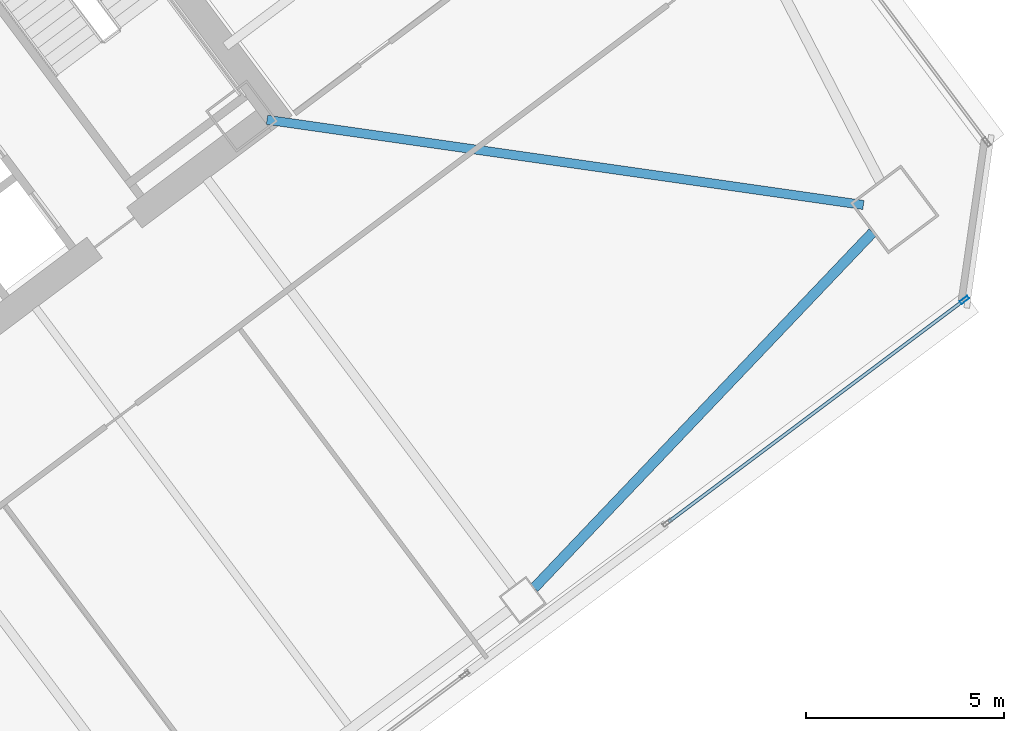
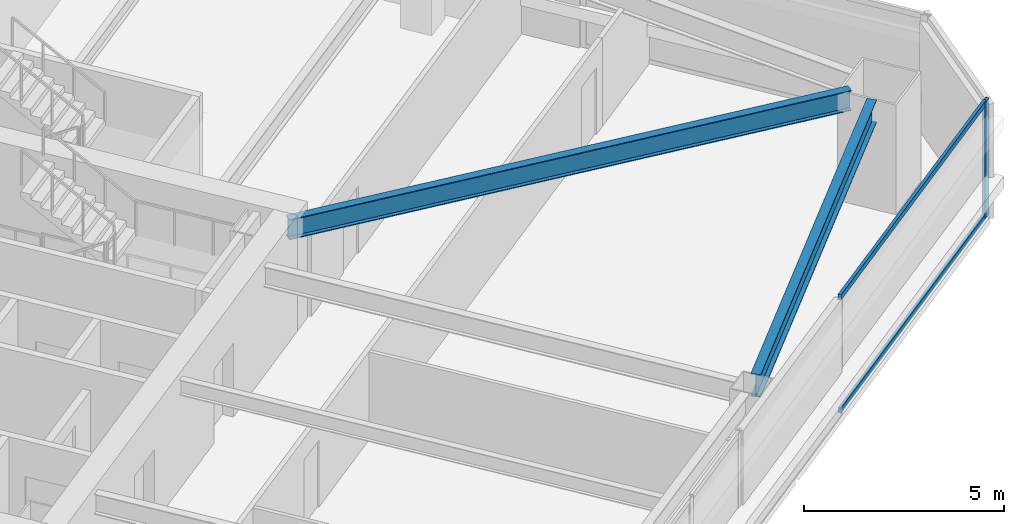
# One storey, part 23 of 45: 3 members, 2 beams, 1 element without a shape of its own.
"""IFC4 building model written with IfcOpenShell, lengths in metres."""

import ifcopenshell
import ifcopenshell.guid

model = None  # the IFC model being written
_history = None  # IfcOwnerHistory: only IFC2X3 demands one
_inside = {}  # id of a spatial element -> (the spatial element, [elements in it])
_under = {}  # id of a project, library or spatial element -> (it, [spatial elements below it])
_declared = {}  # id of a project -> (the project, [libraries it declares])
_typed = {}  # id of a type object -> (the type object, [elements of that type])
_made_of = {}  # id of a material, layer set ... -> (it, [elements and type objects made of it])


def new_model(schema):
    """Start an empty IFC model of exactly this schema.

    Asked for "IFC4X3", IfcOpenShell would pick the latest addendum, in which some entities
    have other attributes; the version numbers below select the first issue.
    IFC2X3 requires an IfcOwnerHistory on every rooted entity: one is made here for all.
    """
    global model, _history
    if schema == "IFC4X3":
        model = ifcopenshell.file(schema_version=(4, 3, 0, 0))
    else:
        model = ifcopenshell.file(schema=schema)
    _inside.clear()
    _under.clear()
    _declared.clear()
    _typed.clear()
    _made_of.clear()
    _history = None
    if model.schema == "IFC2X3":
        org = make("IfcOrganization", Name="unknown")
        user = make(
            "IfcPersonAndOrganization",
            ThePerson=make("IfcPerson", FamilyName="unknown"),
            TheOrganization=org,
        )
        app = make(
            "IfcApplication",
            ApplicationDeveloper=org,
            Version="unknown",
            ApplicationFullName="unknown",
            ApplicationIdentifier="unknown",
        )
        _history = make(
            "IfcOwnerHistory",
            OwningUser=user,
            OwningApplication=app,
            ChangeAction="ADDED",
            CreationDate=0,
        )
    return model


def make(cls, **values):
    """One entity of the class cls with the attributes given. An attribute that is None is left unset."""
    return model.create_entity(
        cls, **{name: value for name, value in values.items() if value is not None}
    )


def rooted(cls, **values):
    """An entity with a GlobalId (a new one), such as an element, a storey or a relation."""
    return make(cls, GlobalId=ifcopenshell.guid.new(), OwnerHistory=_history, **values)


def si_unit(unit_type, name, prefix=None):
    """IfcSIUnit, for example si_unit("LENGTHUNIT", "METRE", prefix="MILLI")."""
    return make("IfcSIUnit", UnitType=unit_type, Prefix=prefix, Name=name)


def assignment(units):
    """IfcUnitAssignment: the units of a project."""
    return None if units is None else make("IfcUnitAssignment", Units=units)


def point(xyz):
    """IfcCartesianPoint."""
    return None if xyz is None else make("IfcCartesianPoint", Coordinates=xyz)


def direction(xyz):
    """IfcDirection."""
    return None if xyz is None else make("IfcDirection", DirectionRatios=xyz)


def frame(location, z_axis=None, x_axis=None):
    """IfcAxis2Placement3D, a coordinate frame: its origin and axes. An axis left out is left unset."""
    return make(
        "IfcAxis2Placement3D",
        Location=point(location),
        Axis=direction(z_axis),
        RefDirection=direction(x_axis),
    )


def frame_2d(location, x_axis=None):
    """IfcAxis2Placement2D, a coordinate frame in the plane: its origin and x axis."""
    return make(
        "IfcAxis2Placement2D", Location=point(location), RefDirection=direction(x_axis)
    )


def origin():
    """The frame at (0, 0, 0) with its axes left unset."""
    return frame((0.0, 0.0, 0.0))


def origin_2d():
    """The frame at (0, 0) in the plane with its x axis left unset."""
    return frame_2d((0.0, 0.0))


def place(relative_to, where):
    """IfcLocalPlacement: puts the frame where relative to a parent placement (None: the world)."""
    return make(
        "IfcLocalPlacement", PlacementRelTo=relative_to, RelativePlacement=where
    )


def context(
    kind, dimensions, precision=None, world=None, true_north=None, identifier=None
):
    """IfcGeometricRepresentationContext, for example the 3D "Model" context."""
    return make(
        "IfcGeometricRepresentationContext",
        ContextIdentifier=identifier,
        ContextType=kind,
        CoordinateSpaceDimension=dimensions,
        Precision=precision,
        WorldCoordinateSystem=world,
        TrueNorth=true_north,
    )


def subcontext(parent, identifier, kind, view, scale=None):
    """IfcGeometricRepresentationSubContext, for example "Body" below "Model"."""
    return make(
        "IfcGeometricRepresentationSubContext",
        ContextIdentifier=identifier,
        ContextType=kind,
        ParentContext=parent,
        TargetScale=scale,
        TargetView=view,
    )


def project(units=None, contexts=None):
    """IfcProject with its units and contexts."""
    return rooted(
        "IfcProject",
        Name="project",
        RepresentationContexts=contexts,
        UnitsInContext=assignment(units),
    )


def spatial(cls, under=None, at=None, **own):
    """A site, building, storey or space (cls), placed at a placement, below another one or the project."""
    s = rooted(cls, ObjectPlacement=at, **own)
    if under is not None:
        _under.setdefault(under.id(), (under, []))[1].append(s)
    return s


def profile(cls, at=None, kind="AREA", **sizes):
    """A parametric profile (cls). Its sizes go by their IFC names, for example OverallWidth=200.0."""
    return make(cls, ProfileType=kind, Position=at, **sizes)


def hollow_rectangle(**sizes):
    """IfcRectangleHollowProfileDef."""
    return profile("IfcRectangleHollowProfileDef", **sizes)


def i_section(**sizes):
    """IfcIShapeProfileDef."""
    return profile("IfcIShapeProfileDef", **sizes)


def extrude(swept, where, along, depth):
    """IfcExtrudedAreaSolid: the profile swept, set in the frame where, extruded along a direction by depth."""
    return make(
        "IfcExtrudedAreaSolid",
        SweptArea=swept,
        Position=where,
        ExtrudedDirection=direction(along),
        Depth=depth,
    )


def shape(context_of_items, identifier, shape_type, items):
    """IfcShapeRepresentation: the items that make up one representation, for example the "Body"."""
    return make(
        "IfcShapeRepresentation",
        ContextOfItems=context_of_items,
        RepresentationIdentifier=identifier,
        RepresentationType=shape_type,
        Items=items,
    )


def material(Name=None, Category=None):
    """IfcMaterial."""
    return make("IfcMaterial", Name=Name, Category=Category)


def material_profile(
    of_material, cross_section, Name=None, Category=None, Priority=None
):
    """IfcMaterialProfile: a cross section and its material."""
    return make(
        "IfcMaterialProfile",
        Name=Name,
        Material=of_material,
        Profile=cross_section,
        Priority=Priority,
        Category=Category,
    )


def profile_set(profiles, Name=None, composite=None):
    """IfcMaterialProfileSet."""
    return make(
        "IfcMaterialProfileSet",
        Name=Name,
        MaterialProfiles=profiles,
        CompositeProfile=composite,
    )


def made_of(thing, what):
    """Note that an element or type object is made of a material, layer set ...; save() writes the relation."""
    if what is not None:
        _made_of.setdefault(what.id(), (what, []))[1].append(thing)
    return thing


def type_object(cls, material=None, **own):
    """A type object (cls), such as IfcWallType, which elements share."""
    return made_of(rooted(cls, **own), material)


def element(
    cls,
    number,
    at=None,
    inside=None,
    cuts=None,
    type_object=None,
    material=None,
    context=None,
    identifier="Body",
    shape_type=None,
    held_by="IfcProductDefinitionShape",
    body=None,
    shapes=None,
    **own,
):
    """One element of the class cls, such as IfcWall. Its Tag is "e" and its number.

    at: its placement. inside: the storey or other place that contains it. cuts: it is an
    opening in that element (IfcRelVoidsElement). A single representation is given by context,
    identifier, shape_type and body (its items); several are given by shapes. held_by: the class
    of the entity that holds the representations. save() writes the other relations.
    """
    e = rooted(cls, Tag="e%d" % number, ObjectPlacement=at, **own)
    if body is not None:
        shapes = [shape(context, identifier, shape_type, body)]
    if shapes is not None:
        e.Representation = make(held_by, Representations=shapes)
    if inside is not None:
        _inside.setdefault(inside.id(), (inside, []))[1].append(e)
    if cuts is not None:
        rooted(
            "IfcRelVoidsElement", RelatingBuildingElement=cuts, RelatedOpeningElement=e
        )
    if type_object is not None:
        _typed.setdefault(type_object.id(), (type_object, []))[1].append(e)
    return made_of(e, material)


def aggregate(whole, parts):
    """IfcRelAggregates: a whole, such as a stair, and the parts it consists of."""
    return rooted("IfcRelAggregates", RelatingObject=whole, RelatedObjects=parts)


def save(model, path):
    """Write the relations noted so far, then the file.

    IfcRelAggregates (storeys below a building ...), IfcRelContainedInSpatialStructure (elements
    in a storey), IfcRelDefinesByType, IfcRelAssociatesMaterial and IfcRelDeclares: one each for
    every whole, place, type object, material and project.
    """
    for whole, parts in _under.values():
        aggregate(whole, parts)
    for where, things in _inside.values():
        rooted(
            "IfcRelContainedInSpatialStructure",
            RelatedElements=things,
            RelatingStructure=where,
        )
    for kind, things in _typed.values():
        rooted("IfcRelDefinesByType", RelatedObjects=things, RelatingType=kind)
    for what, things in _made_of.values():
        rooted("IfcRelAssociatesMaterial", RelatedObjects=things, RelatingMaterial=what)
    for by, libraries in _declared.values():
        rooted("IfcRelDeclares", RelatingContext=by, RelatedDefinitions=libraries)
    model.write(path)


model = new_model("IFC4")

# Units and contexts
model_context = context("Model", 3, precision=1e-05, world=origin(), true_north=direction((0.0, 1.0)))
body_context = subcontext(model_context, "Body", "Model", "MODEL_VIEW")
ifc_project = project(units=[si_unit("LENGTHUNIT", "METRE"), si_unit("AREAUNIT", "SQUARE_METRE"), si_unit("VOLUMEUNIT", "CUBIC_METRE"), si_unit("PLANEANGLEUNIT", "RADIAN"), si_unit("MASSUNIT", "GRAM", prefix="KILO")], contexts=[model_context])

# Site, building, storey
site_placement = place(None, origin())
site = spatial("IfcSite", under=ifc_project, at=site_placement, CompositionType="ELEMENT")
building_placement = place(site_placement, origin())
building = spatial("IfcBuilding", under=site, at=building_placement, Name="Tashvorn Skyway Center", CompositionType="ELEMENT")
storey_placement = place(building_placement, frame((0.0, 0.0, 35.25)))
storey = spatial("IfcBuildingStorey", under=building, at=storey_placement, Name="L08", CompositionType="ELEMENT", Elevation=35.25)

# Beams
ifc_material_1 = material(Name="Steel ASTM A992 Grade 50", Category="steel")
ifc_material_profile_1 = material_profile(ifc_material_1, i_section(OverallWidth=0.22998046875, OverallDepth=0.616943359375, WebThickness=0.01318359375, FlangeThickness=0.022216796875, at=origin_2d()), Name="W24X94")
ifc_profile_set_1 = profile_set([ifc_material_profile_1], Name="Steel ASTM A992 Grade 50")
beam_type_1 = type_object("IfcBeamType", Name="BM-BEAM-W24X94", PredefinedType="BEAM", material=ifc_profile_set_1)
beam_1_placement = place(storey_placement, frame((139.532958984375, 28.3525390625, 3.04150390625), z_axis=(-0.989950458816, 0.141414599991, 0.0), x_axis=(-0.141414599991, -0.989950458816, 0.0)))
element("IfcBeam", 1, at=beam_1_placement, inside=storey, type_object=beam_type_1, Name="Tower 2 L08 Primary Floor Girder MC-SE", PredefinedType="BEAM", context=body_context, shape_type="SweptSolid", body=[
    extrude(i_section(OverallWidth=0.22998046875, OverallDepth=0.616943359375, WebThickness=0.01318359375, FlangeThickness=0.022216796875, at=origin_2d()), origin(), (0.0, 0.0, 1.0), 15.177001953125),
])
ifc_material_profile_2 = material_profile(ifc_material_1, i_section(OverallWidth=0.256103515625, OverallDepth=0.693115234375, WebThickness=0.014404296875, FlangeThickness=0.023681640625, at=origin_2d()), Name="W27X114")
ifc_profile_set_2 = profile_set([ifc_material_profile_2], Name="Steel ASTM A992 Grade 50")
beam_type_2 = type_object("IfcBeamType", Name="BM-SPANDREL-W27X114", PredefinedType="SPANDREL", material=ifc_profile_set_2)
beam_2_placement = place(storey_placement, frame((131.23974609375, 18.7041015625, 3.00341796875), z_axis=(0.689589637236, 0.724200339835, 0.0), x_axis=(-0.724200339835, 0.689589637236, 0.0)))
element("IfcBeam", 2, at=beam_2_placement, inside=storey, type_object=beam_type_2, Name="Tower 2 L08 Spandrel Beam 03", PredefinedType="SPANDREL", context=body_context, shape_type="SweptSolid", body=[
    extrude(i_section(OverallWidth=0.256103515625, OverallDepth=0.693115234375, WebThickness=0.014404296875, FlangeThickness=0.023681640625, at=origin_2d()), origin(), (0.0, 0.0, 1.0), 12.37255859375),
])

# Curtain wall, members
ifc_material_2 = material(Name="Thermally broken bronze-anodized aluminium 6063-T6", Category="aluminium")
curtain_wall_type = type_object("IfcCurtainWallType", Name="CW-CW-Z1", PredefinedType="NOTDEFINED", material=ifc_material_2)
curtain_wall_placement = place(storey_placement, origin())
curtain_wall = element("IfcCurtainWall", 3, at=curtain_wall_placement, inside=storey, type_object=curtain_wall_type, Name="Tower 2 L08 South Unitised Curtain Wall Glazing Group 1", PredefinedType="NOTDEFINED")
ifc_material_profile_3 = material_profile(ifc_material_2, hollow_rectangle(XDim=0.0849609375, YDim=0.239990234375, WallThickness=0.0048828125, at=origin_2d()), Name="ALU-MULL-85x240")
ifc_profile_set_3 = profile_set([ifc_material_profile_3], Name="Thermally broken bronze-anodized aluminium 6063-T6")
member_type_1 = type_object("IfcMemberType", Name="CWM-CW-Z1", PredefinedType="MULLION", material=ifc_profile_set_3)
member_1_placement = place(storey_placement, frame((142.077880859375, 25.95849609375, 0.0), z_axis=(0.0, 0.0, 1.0), x_axis=(0.600000000002, -0.799999999998, 0.0)))
member_1 = element("IfcMember", 4, at=member_1_placement, type_object=member_type_1, Name="CW-Z1 mullion 1", PredefinedType="MULLION", context=body_context, shape_type="SweptSolid", body=[
    extrude(hollow_rectangle(XDim=0.0849609375, YDim=0.239990234375, WallThickness=0.0048828125, at=origin_2d()), origin(), (0.0, 0.0, 1.0), 3.550048828125),
])
ifc_material_profile_4 = material_profile(ifc_material_2, hollow_rectangle(XDim=0.0849609375, YDim=0.1650390625, WallThickness=0.0048828125, at=origin_2d()), Name="ALU-TRAN-85x165")
ifc_profile_set_4 = profile_set([ifc_material_profile_4], Name="Thermally broken bronze-anodized aluminium 6063-T6")
member_type_2 = type_object("IfcMemberType", Name="CWT-CW-Z1", PredefinedType="USERDEFINED", material=ifc_profile_set_4)
member_2_placement = place(storey_placement, frame((142.0439453125, 25.93310546875, 0.04248046875), z_axis=(-0.8, -0.6, 0.0), x_axis=(0.6, -0.8, 0.0)))
member_2 = element("IfcMember", 5, at=member_2_placement, type_object=member_type_2, Name="CW-Z1 transom 1.1", ObjectType="TRANSOM", PredefinedType="USERDEFINED", context=body_context, shape_type="SweptSolid", body=[
    extrude(hollow_rectangle(XDim=0.0849609375, YDim=0.1650390625, WallThickness=0.0048828125, at=origin_2d()), origin(), (0.0, 0.0, 1.0), 9.27001953125),
])
member_3_placement = place(storey_placement, frame((142.0439453125, 25.93310546875, 3.507568359375), z_axis=(-0.8, -0.6, 0.0), x_axis=(0.6, -0.8, 0.0)))
member_3 = element("IfcMember", 6, at=member_3_placement, type_object=member_type_2, Name="CW-Z1 transom 1.2", ObjectType="TRANSOM", PredefinedType="USERDEFINED", context=body_context, shape_type="SweptSolid", body=[
    extrude(hollow_rectangle(XDim=0.0849609375, YDim=0.1650390625, WallThickness=0.0048828125, at=origin_2d()), origin(), (0.0, 0.0, 1.0), 9.27001953125),
])
aggregate(curtain_wall, [member_1, member_2, member_3])

save(model, "model.ifc")
